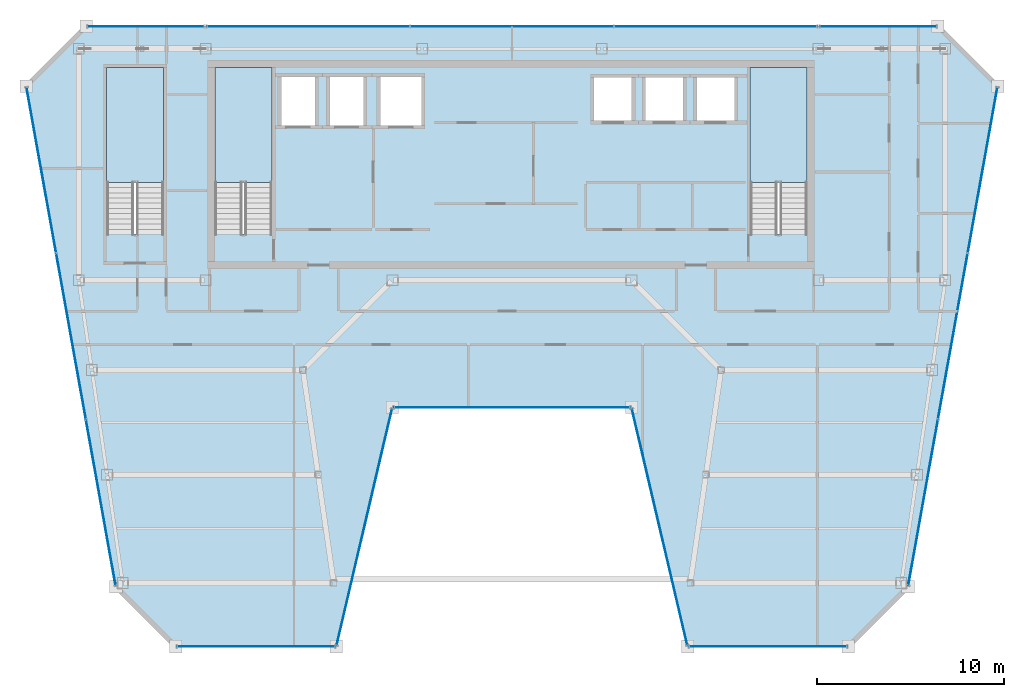
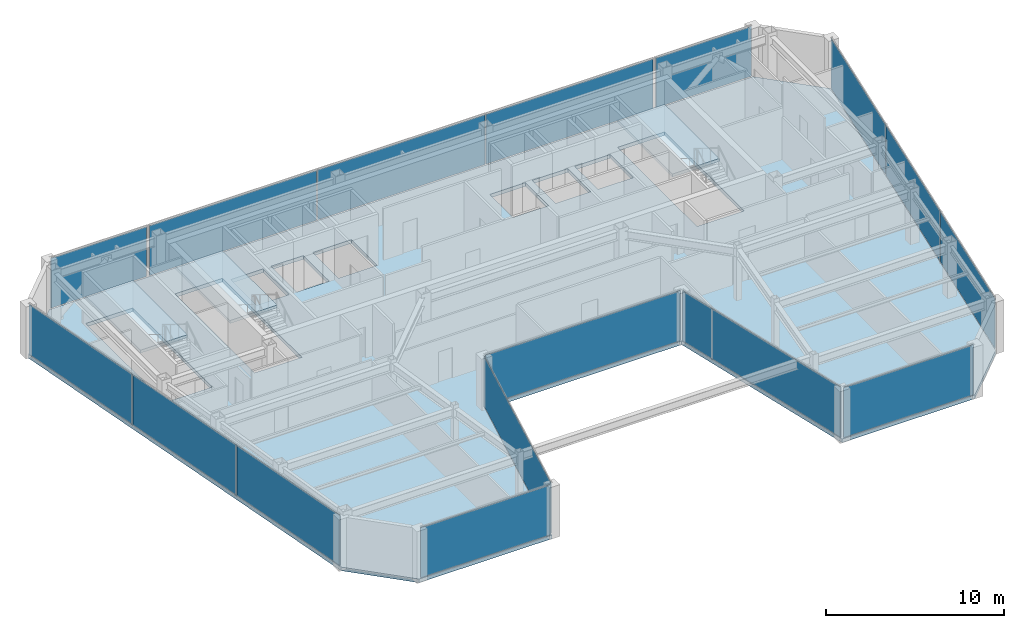
# One storey, part 25 of 32: 16 plates, 4 slabs, 13 elements without a shape of their own.
"""IFC4 building model written with IfcOpenShell, lengths in metres."""

from ifc_helpers import new_model, si_unit, direction, frame, origin, origin_2d, place, context, subcontext, project, spatial, polyline, rectangle, outline, extrude, material, layer, layer_set, type_object, element, aggregate, save


model = new_model("IFC4")

# Units and contexts
model_context = context("Model", 3, precision=1e-05, world=origin(), true_north=direction((0.0, 1.0)))
body_context = subcontext(model_context, "Body", "Model", "MODEL_VIEW")
ifc_project = project(units=[si_unit("LENGTHUNIT", "METRE"), si_unit("AREAUNIT", "SQUARE_METRE"), si_unit("VOLUMEUNIT", "CUBIC_METRE"), si_unit("PLANEANGLEUNIT", "RADIAN"), si_unit("MASSUNIT", "GRAM", prefix="KILO")], contexts=[model_context])

# Site, building, storey
site_placement = place(None, origin())
site = spatial("IfcSite", under=ifc_project, at=site_placement, CompositionType="ELEMENT")
building_placement = place(site_placement, origin())
building = spatial("IfcBuilding", under=site, at=building_placement, Name="Saevonmaru Cultural Tower", CompositionType="ELEMENT")
storey_placement = place(building_placement, frame((0.0, 0.0, 268.60009765625)))
storey = spatial("IfcBuildingStorey", under=building, at=storey_placement, Name="L63", CompositionType="ELEMENT", Elevation=268.60009765625)

# Curtain wall, plate
ifc_material_1 = material(Name="Satin Bronze Anodised Aluminium", Category="aluminium")
curtain_wall_type = type_object("IfcCurtainWallType", Name="CW-TYP-B", PredefinedType="NOTDEFINED", material=ifc_material_1)
curtain_wall_1_placement = place(storey_placement, origin())
curtain_wall_1 = element("IfcCurtainWall", 1, at=curtain_wall_1_placement, inside=storey, type_object=curtain_wall_type, Name="L63 Unitised Curtain Wall E2", PredefinedType="NOTDEFINED")
ifc_material_2 = material(Name="Triple Silver Low-E Insulating Glass", Category="glass")
ifc_layer_1 = layer(ifc_material_2, 0.035888671875, Name="Triple Silver Low-E Insulating Glass")
ifc_layer_set_1 = layer_set([ifc_layer_1], Name="Triple Silver Low-E Insulating Glass")
plate_type_1 = type_object("IfcPlateType", Name="PN-GLZ-IGU", PredefinedType="CURTAIN_PANEL", material=ifc_layer_set_1)
plate_1_placement = place(storey_placement, frame((16.295654296875, 22.800048828125, 0.06689453125), z_axis=(0.0, 0.0, 1.0), x_axis=(1.0, 0.0, 0.0)))
plate_1 = element("IfcPlate", 2, at=plate_1_placement, type_object=plate_type_1, Name="CW-TW-L63-E2 panel 1.1", PredefinedType="CURTAIN_PANEL", context=body_context, shape_type="SweptSolid", body=[
    extrude(rectangle(XDim=8.410888671875, YDim=0.035888671875, at=origin_2d()), origin(), (0.0, 0.0, 1.0), 3.416015625),
])
aggregate(curtain_wall_1, [plate_1])

curtain_wall_2_placement = place(storey_placement, origin())
curtain_wall_2 = element("IfcCurtainWall", 3, at=curtain_wall_2_placement, inside=storey, type_object=curtain_wall_type, Name="L63 Unitised Curtain Wall E3", PredefinedType="NOTDEFINED")
plate_2_placement = place(storey_placement, frame((22.095703125, 29.199951171875, 0.06689453125), z_axis=(0.0, 0.0, 1.0), x_axis=(0.228189509449, 0.973616735568, 0.0)))
plate_2 = element("IfcPlate", 4, at=plate_2_placement, type_object=plate_type_1, Name="CW-TW-L63-E3 panel 1.1", PredefinedType="CURTAIN_PANEL", context=body_context, shape_type="SweptSolid", body=[
    extrude(rectangle(XDim=12.9580078125, YDim=0.035888671875, at=origin_2d()), origin(), (0.0, 0.0, 1.0), 3.416015625),
])
aggregate(curtain_wall_2, [plate_2])

curtain_wall_3_placement = place(storey_placement, origin())
curtain_wall_3 = element("IfcCurtainWall", 5, at=curtain_wall_3_placement, inside=storey, type_object=curtain_wall_type, Name="L63 Unitised Curtain Wall E4", PredefinedType="NOTDEFINED")
plate_3_placement = place(storey_placement, frame((30.0, 35.60009765625, 0.06689453125), z_axis=(0.0, 0.0, 1.0), x_axis=(1.0, 0.0, 0.0)))
plate_3 = element("IfcPlate", 6, at=plate_3_placement, type_object=plate_type_1, Name="CW-TW-L63-E4 panel 1.1", PredefinedType="CURTAIN_PANEL", context=body_context, shape_type="SweptSolid", body=[
    extrude(rectangle(XDim=12.619873046875, YDim=0.035888671875, at=origin_2d()), origin(), (0.0, 0.0, 1.0), 3.416015625),
])
aggregate(curtain_wall_3, [plate_3])

curtain_wall_4_placement = place(storey_placement, origin())
curtain_wall_4 = element("IfcCurtainWall", 7, at=curtain_wall_4_placement, inside=storey, type_object=curtain_wall_type, Name="L63 Unitised Curtain Wall E5", PredefinedType="NOTDEFINED")
plate_4_placement = place(storey_placement, frame((37.904296875, 29.199951171875, 0.06689453125), z_axis=(0.0, 0.0, 1.0), x_axis=(0.228189509449, -0.973616735568, 0.0)))
plate_4 = element("IfcPlate", 8, at=plate_4_placement, type_object=plate_type_1, Name="CW-TW-L63-E5 panel 1.1", PredefinedType="CURTAIN_PANEL", context=body_context, shape_type="SweptSolid", body=[
    extrude(rectangle(XDim=12.9580078125, YDim=0.035888671875, at=origin_2d()), origin(), (0.0, 0.0, 1.0), 3.416015625),
])
aggregate(curtain_wall_4, [plate_4])

curtain_wall_5_placement = place(storey_placement, origin())
curtain_wall_5 = element("IfcCurtainWall", 9, at=curtain_wall_5_placement, inside=storey, type_object=curtain_wall_type, Name="L63 Unitised Curtain Wall E6", PredefinedType="NOTDEFINED")
plate_5_placement = place(storey_placement, frame((43.704345703125, 22.800048828125, 0.06689453125), z_axis=(0.0, 0.0, 1.0), x_axis=(1.0, 0.0, 0.0)))
plate_5 = element("IfcPlate", 10, at=plate_5_placement, type_object=plate_type_1, Name="CW-TW-L63-E6 panel 1.1", PredefinedType="CURTAIN_PANEL", context=body_context, shape_type="SweptSolid", body=[
    extrude(rectangle(XDim=8.410888671875, YDim=0.035888671875, at=origin_2d()), origin(), (0.0, 0.0, 1.0), 3.416015625),
])
aggregate(curtain_wall_5, [plate_5])

# Curtain wall, plates
curtain_wall_6_placement = place(storey_placement, origin())
curtain_wall_6 = element("IfcCurtainWall", 11, at=curtain_wall_6_placement, inside=storey, type_object=curtain_wall_type, Name="L63 Unitised Curtain Wall E8", PredefinedType="NOTDEFINED")
plate_6_placement = place(storey_placement, frame((52.0107421875, 30.506103515625, 0.06689453125), z_axis=(0.0, 0.0, 1.0), x_axis=(0.176140740755, 0.984364993001, 0.0)))
plate_6 = element("IfcPlate", 12, at=plate_6_placement, type_object=plate_type_1, Name="CW-TW-L63-E8 panel 1.1", PredefinedType="CURTAIN_PANEL", context=body_context, shape_type="SweptSolid", body=[
    extrude(rectangle(XDim=8.96630859375, YDim=0.035888671875, at=origin_2d()), origin(), (0.0, 0.0, 1.0), 3.416015625),
])
plate_7_placement = place(storey_placement, frame((53.602294921875, 39.39990234375, 0.06689453125), z_axis=(0.0, 0.0, 1.0), x_axis=(0.176140740755, 0.984364993001, 0.0)))
plate_7 = element("IfcPlate", 13, at=plate_7_placement, type_object=plate_type_1, Name="CW-TW-L63-E8 panel 2.1", PredefinedType="CURTAIN_PANEL", context=body_context, shape_type="SweptSolid", body=[
    extrude(rectangle(XDim=8.96630859375, YDim=0.035888671875, at=origin_2d()), origin(), (0.0, 0.0, 1.0), 3.416015625),
])
plate_8_placement = place(storey_placement, frame((55.193603515625, 48.2939453125, 0.06689453125), z_axis=(0.0, 0.0, 1.0), x_axis=(0.176140740755, 0.984364993001, 0.0)))
plate_8 = element("IfcPlate", 14, at=plate_8_placement, type_object=plate_type_1, Name="CW-TW-L63-E8 panel 3.1", PredefinedType="CURTAIN_PANEL", context=body_context, shape_type="SweptSolid", body=[
    extrude(rectangle(XDim=8.96630859375, YDim=0.035888671875, at=origin_2d()), origin(), (0.0, 0.0, 1.0), 3.416015625),
])
aggregate(curtain_wall_6, [plate_6, plate_7, plate_8])

curtain_wall_7_placement = place(storey_placement, origin())
curtain_wall_7 = element("IfcCurtainWall", 15, at=curtain_wall_7_placement, inside=storey, type_object=curtain_wall_type, Name="L63 North Spine Unitised Curtain Wall E10B", PredefinedType="NOTDEFINED")
plate_9_placement = place(storey_placement, frame((40.893310546875, 56.0, 0.06689453125), z_axis=(0.0, 0.0, 1.0), x_axis=(-1.0, 0.0, 0.0)))
plate_9 = element("IfcPlate", 16, at=plate_9_placement, type_object=plate_type_1, Name="CW-TW-L63-E10B panel 1.1", PredefinedType="CURTAIN_PANEL", context=body_context, shape_type="SweptSolid", body=[
    extrude(rectangle(XDim=10.82421875, YDim=0.035888671875, at=origin_2d()), origin(), (0.0, 0.0, 1.0), 3.416015625),
])
plate_10_placement = place(storey_placement, frame((30.0, 56.0, 0.06689453125), z_axis=(0.0, 0.0, 1.0), x_axis=(-1.0, 0.0, 0.0)))
plate_10 = element("IfcPlate", 17, at=plate_10_placement, type_object=plate_type_1, Name="CW-TW-L63-E10B panel 2.1", PredefinedType="CURTAIN_PANEL", context=body_context, shape_type="SweptSolid", body=[
    extrude(rectangle(XDim=10.82421875, YDim=0.035888671875, at=origin_2d()), origin(), (0.0, 0.0, 1.0), 3.416015625),
])
plate_11_placement = place(storey_placement, frame((19.106689453125, 56.0, 0.06689453125), z_axis=(0.0, 0.0, 1.0), x_axis=(-1.0, 0.0, 0.0)))
plate_11 = element("IfcPlate", 18, at=plate_11_placement, type_object=plate_type_1, Name="CW-TW-L63-E10B panel 3.1", PredefinedType="CURTAIN_PANEL", context=body_context, shape_type="SweptSolid", body=[
    extrude(rectangle(XDim=10.82421875, YDim=0.035888671875, at=origin_2d()), origin(), (0.0, 0.0, 1.0), 3.416015625),
])
aggregate(curtain_wall_7, [plate_9, plate_10, plate_11])

curtain_wall_8_placement = place(storey_placement, origin())
curtain_wall_8 = element("IfcCurtainWall", 19, at=curtain_wall_8_placement, inside=storey, type_object=curtain_wall_type, Name="L63 Unitised Curtain Wall E12", PredefinedType="NOTDEFINED")
plate_12_placement = place(storey_placement, frame((4.806396484375, 48.2939453125, 0.06689453125), z_axis=(0.0, 0.0, 1.0), x_axis=(0.176140740755, -0.984364993001, 0.0)))
plate_12 = element("IfcPlate", 20, at=plate_12_placement, type_object=plate_type_1, Name="CW-TW-L63-E12 panel 1.1", PredefinedType="CURTAIN_PANEL", context=body_context, shape_type="SweptSolid", body=[
    extrude(rectangle(XDim=8.96630859375, YDim=0.035888671875, at=origin_2d()), origin(), (0.0, 0.0, 1.0), 3.416015625),
])
plate_13_placement = place(storey_placement, frame((6.397705078125, 39.39990234375, 0.06689453125), z_axis=(0.0, 0.0, 1.0), x_axis=(0.176140740755, -0.984364993001, 0.0)))
plate_13 = element("IfcPlate", 21, at=plate_13_placement, type_object=plate_type_1, Name="CW-TW-L63-E12 panel 2.1", PredefinedType="CURTAIN_PANEL", context=body_context, shape_type="SweptSolid", body=[
    extrude(rectangle(XDim=8.96630859375, YDim=0.035888671875, at=origin_2d()), origin(), (0.0, 0.0, 1.0), 3.416015625),
])
plate_14_placement = place(storey_placement, frame((7.9892578125, 30.506103515625, 0.06689453125), z_axis=(0.0, 0.0, 1.0), x_axis=(0.176140740755, -0.984364993001, 0.0)))
plate_14 = element("IfcPlate", 22, at=plate_14_placement, type_object=plate_type_1, Name="CW-TW-L63-E12 panel 3.1", PredefinedType="CURTAIN_PANEL", context=body_context, shape_type="SweptSolid", body=[
    extrude(rectangle(XDim=8.96630859375, YDim=0.035888671875, at=origin_2d()), origin(), (0.0, 0.0, 1.0), 3.416015625),
])
aggregate(curtain_wall_8, [plate_12, plate_13, plate_14])

# Curtain wall, plate
curtain_wall_9_placement = place(storey_placement, origin())
curtain_wall_9 = element("IfcCurtainWall", 23, at=curtain_wall_9_placement, inside=storey, type_object=curtain_wall_type, Name="L63 East Braced Bay Spandrel Curtain Wall E10A", PredefinedType="NOTDEFINED")
ifc_material_3 = material(Name="Insulated Satin Bronze Aluminium Spandrel Panel", Category="aluminium")
ifc_layer_2 = layer(ifc_material_3, 0.0400390625, Name="Insulated Satin Bronze Aluminium Spandrel Panel")
ifc_layer_set_2 = layer_set([ifc_layer_2], Name="Insulated Satin Bronze Aluminium Spandrel Panel")
plate_type_2 = type_object("IfcPlateType", Name="PN-SPANDREL-BRONZE", PredefinedType="CURTAIN_PANEL", material=ifc_layer_set_2)
plate_15_placement = place(storey_placement, frame((49.60009765625, 56.0, 0.06689453125), z_axis=(0.0, 0.0, 1.0), x_axis=(-1.0, 0.0, 0.0)))
plate_15 = element("IfcPlate", 24, at=plate_15_placement, type_object=plate_type_2, Name="CW-TW-L63-E10A panel 1.1", PredefinedType="CURTAIN_PANEL", context=body_context, shape_type="SweptSolid", body=[
    extrude(rectangle(XDim=6.2109375, YDim=0.035888671875, at=origin_2d()), origin(), (0.0, 0.0, 1.0), 3.416015625),
])
aggregate(curtain_wall_9, [plate_15])

curtain_wall_10_placement = place(storey_placement, origin())
curtain_wall_10 = element("IfcCurtainWall", 25, at=curtain_wall_10_placement, inside=storey, type_object=curtain_wall_type, Name="L63 West Braced Bay Spandrel Curtain Wall E10C", PredefinedType="NOTDEFINED")
plate_16_placement = place(storey_placement, frame((10.39990234375, 56.0, 0.06689453125), z_axis=(0.0, 0.0, 1.0), x_axis=(-1.0, 0.0, 0.0)))
plate_16 = element("IfcPlate", 26, at=plate_16_placement, type_object=plate_type_2, Name="CW-TW-L63-E10C panel 1.1", PredefinedType="CURTAIN_PANEL", context=body_context, shape_type="SweptSolid", body=[
    extrude(rectangle(XDim=6.2109375, YDim=0.035888671875, at=origin_2d()), origin(), (0.0, 0.0, 1.0), 3.416015625),
])
aggregate(curtain_wall_10, [plate_16])

# Slab
ifc_material_4 = material(Name="Concrete C40/50", Category="concrete")
ifc_layer_3 = layer(ifc_material_4, 0.25, Name="Concrete C40/50")
ifc_layer_set_3 = layer_set([ifc_layer_3], Name="Concrete C40/50")
slab_type_1 = type_object("IfcSlabType", Name="SL-FLR-250", PredefinedType="FLOOR", material=ifc_layer_set_3)
slab_1_placement = place(storey_placement, frame((0.0, 0.0, -0.25)))
element("IfcSlab", 27, at=slab_1_placement, inside=storey, type_object=slab_type_1, Name="L63 Tower Structural Floor Slab", PredefinedType="FLOOR", context=body_context, shape_type="SweptSolid", body=[
    extrude(outline(polyline([(8.795654296875, 26.0), (11.99560546875, 22.800048828125), (20.595703125, 22.800048828125), (23.595703125, 35.60009765625), (36.404296875, 35.60009765625), (39.404296875, 22.800048828125), (48.00439453125, 22.800048828125), (51.204345703125, 26.0), (56.0, 52.800048828125), (52.800048828125, 56.0), (7.199951171875, 56.0), (4.0, 52.800048828125), (8.795654296875, 26.0)]), holes=[polyline([(45.800048828125, 53.800048828125), (45.800048828125, 44.875), (42.75, 44.875), (42.75, 53.800048828125), (45.800048828125, 53.800048828125)]), polyline([(39.75, 50.800048828125), (39.75, 53.39990234375), (42.050048828125, 53.39990234375), (42.050048828125, 50.800048828125), (39.75, 50.800048828125)]), polyline([(37.0, 50.800048828125), (37.0, 53.39990234375), (39.300048828125, 53.39990234375), (39.300048828125, 50.800048828125), (37.0, 50.800048828125)]), polyline([(36.550048828125, 50.800048828125), (34.25, 50.800048828125), (34.25, 53.39990234375), (36.550048828125, 53.39990234375), (36.550048828125, 50.800048828125)]), polyline([(25.300048828125, 50.550048828125), (22.800048828125, 50.550048828125), (22.800048828125, 53.449951171875), (25.300048828125, 53.449951171875), (25.300048828125, 50.550048828125)]), polyline([(22.199951171875, 50.550048828125), (20.10009765625, 50.550048828125), (20.10009765625, 53.449951171875), (22.199951171875, 53.449951171875), (22.199951171875, 50.550048828125)]), polyline([(19.60009765625, 50.550048828125), (17.5, 50.550048828125), (17.5, 53.449951171875), (19.60009765625, 53.449951171875), (19.60009765625, 50.550048828125)]), polyline([(17.14990234375, 53.800048828125), (17.14990234375, 44.875), (14.10009765625, 44.875), (14.10009765625, 53.800048828125), (17.14990234375, 53.800048828125)]), polyline([(11.35009765625, 53.800048828125), (11.35009765625, 44.875), (8.300048828125, 44.875), (8.300048828125, 53.800048828125), (11.35009765625, 53.800048828125)])]), origin(), (0.0, 0.0, 1.0), 0.25),
])

# Stair, slab
stair_type = type_object("IfcStairType", Name="STR-DOGLEG-RC", PredefinedType="HALF_TURN_STAIR", material=ifc_material_4)
stair_1_placement = place(storey_placement, origin())
stair_1 = element("IfcStair", 28, at=stair_1_placement, inside=storey, type_object=stair_type, Name="L63 Protected exit stair ST-1", PredefinedType="HALF_TURN_STAIR")
ifc_layer_4 = layer(ifc_material_4, 0.199951171875, Name="Concrete C40/50")
ifc_layer_set_4 = layer_set([ifc_layer_4], Name="Concrete C40/50")
slab_type_2 = type_object("IfcSlabType", Name="SL-STAIR-LANDING", PredefinedType="LANDING", material=ifc_layer_set_4)
slab_2_placement = place(storey_placement, frame((0.0, 0.0, 1.699951171875)))
slab_2 = element("IfcSlab", 29, at=slab_2_placement, type_object=slab_type_2, Name="ST-1-L63 landing 1", PredefinedType="LANDING", context=body_context, shape_type="SweptSolid", body=[
    extrude(outline(polyline([(17.14990234375, 47.64990234375), (17.14990234375, 53.800048828125), (14.10009765625, 53.800048828125), (14.10009765625, 47.64990234375), (17.14990234375, 47.64990234375)])), origin(), (0.0, 0.0, 1.0), 0.199951171875),
])
aggregate(stair_1, [slab_2])

stair_2_placement = place(storey_placement, origin())
stair_2 = element("IfcStair", 30, at=stair_2_placement, inside=storey, type_object=stair_type, Name="L63 Protected exit stair ST-2", PredefinedType="HALF_TURN_STAIR")
slab_3_placement = place(storey_placement, frame((0.0, 0.0, 1.699951171875)))
slab_3 = element("IfcSlab", 31, at=slab_3_placement, type_object=slab_type_2, Name="ST-2-L63 landing 1", PredefinedType="LANDING", context=body_context, shape_type="SweptSolid", body=[
    extrude(outline(polyline([(45.800048828125, 47.64990234375), (45.800048828125, 53.800048828125), (42.75, 53.800048828125), (42.75, 47.64990234375), (45.800048828125, 47.64990234375)])), origin(), (0.0, 0.0, 1.0), 0.199951171875),
])
aggregate(stair_2, [slab_3])

stair_3_placement = place(storey_placement, origin())
stair_3 = element("IfcStair", 32, at=stair_3_placement, inside=storey, type_object=stair_type, Name="L63 Protected exit stair ST-3", PredefinedType="HALF_TURN_STAIR")
slab_4_placement = place(storey_placement, frame((0.0, 0.0, 1.699951171875)))
slab_4 = element("IfcSlab", 33, at=slab_4_placement, type_object=slab_type_2, Name="ST-3-L63 landing 1", PredefinedType="LANDING", context=body_context, shape_type="SweptSolid", body=[
    extrude(outline(polyline([(11.35009765625, 47.64990234375), (11.35009765625, 53.800048828125), (8.300048828125, 53.800048828125), (8.300048828125, 47.64990234375), (11.35009765625, 47.64990234375)])), origin(), (0.0, 0.0, 1.0), 0.199951171875),
])
aggregate(stair_3, [slab_4])

save(model, "model.ifc")
